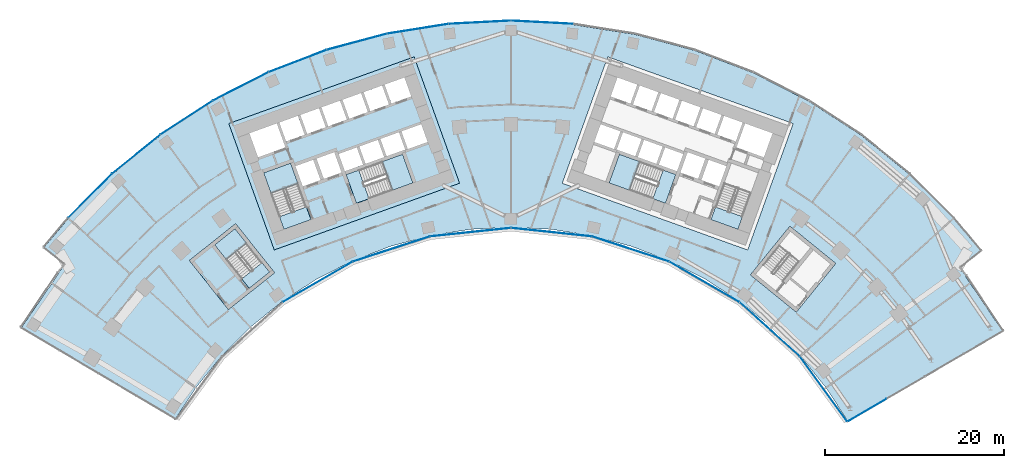
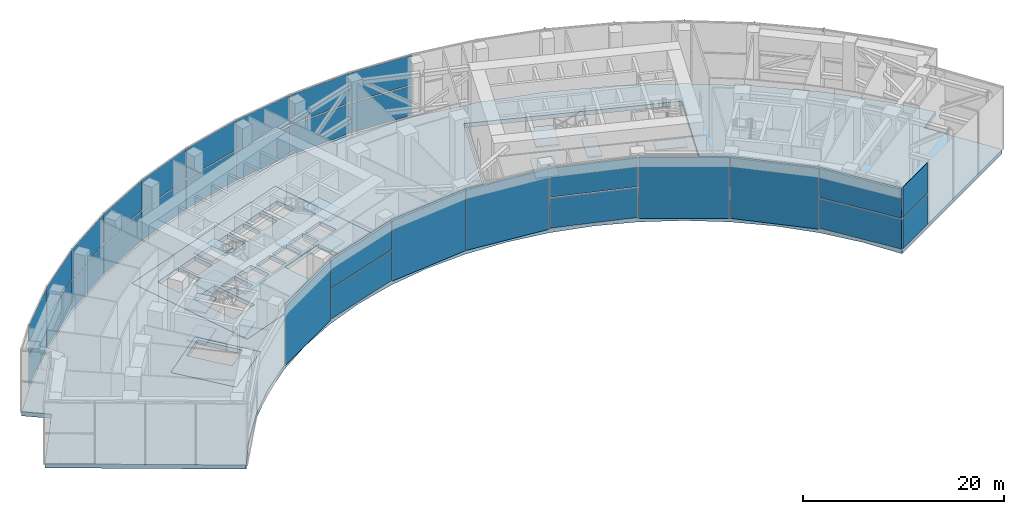
# One storey, part 18 of 33: 31 plates, 16 slabs, 8 elements without a shape of their own.
"""IFC4 building model written with IfcOpenShell, lengths in metres."""

import ifcopenshell
import ifcopenshell.guid

model = None  # the IFC model being written
_history = None  # IfcOwnerHistory: only IFC2X3 demands one
_inside = {}  # id of a spatial element -> (the spatial element, [elements in it])
_under = {}  # id of a project, library or spatial element -> (it, [spatial elements below it])
_declared = {}  # id of a project -> (the project, [libraries it declares])
_typed = {}  # id of a type object -> (the type object, [elements of that type])
_made_of = {}  # id of a material, layer set ... -> (it, [elements and type objects made of it])


def new_model(schema):
    """Start an empty IFC model of exactly this schema.

    Asked for "IFC4X3", IfcOpenShell would pick the latest addendum, in which some entities
    have other attributes; the version numbers below select the first issue.
    IFC2X3 requires an IfcOwnerHistory on every rooted entity: one is made here for all.
    """
    global model, _history
    if schema == "IFC4X3":
        model = ifcopenshell.file(schema_version=(4, 3, 0, 0))
    else:
        model = ifcopenshell.file(schema=schema)
    _inside.clear()
    _under.clear()
    _declared.clear()
    _typed.clear()
    _made_of.clear()
    _history = None
    if model.schema == "IFC2X3":
        org = make("IfcOrganization", Name="unknown")
        user = make(
            "IfcPersonAndOrganization",
            ThePerson=make("IfcPerson", FamilyName="unknown"),
            TheOrganization=org,
        )
        app = make(
            "IfcApplication",
            ApplicationDeveloper=org,
            Version="unknown",
            ApplicationFullName="unknown",
            ApplicationIdentifier="unknown",
        )
        _history = make(
            "IfcOwnerHistory",
            OwningUser=user,
            OwningApplication=app,
            ChangeAction="ADDED",
            CreationDate=0,
        )
    return model


def make(cls, **values):
    """One entity of the class cls with the attributes given. An attribute that is None is left unset."""
    return model.create_entity(
        cls, **{name: value for name, value in values.items() if value is not None}
    )


def rooted(cls, **values):
    """An entity with a GlobalId (a new one), such as an element, a storey or a relation."""
    return make(cls, GlobalId=ifcopenshell.guid.new(), OwnerHistory=_history, **values)


def si_unit(unit_type, name, prefix=None):
    """IfcSIUnit, for example si_unit("LENGTHUNIT", "METRE", prefix="MILLI")."""
    return make("IfcSIUnit", UnitType=unit_type, Prefix=prefix, Name=name)


def assignment(units):
    """IfcUnitAssignment: the units of a project."""
    return None if units is None else make("IfcUnitAssignment", Units=units)


def point(xyz):
    """IfcCartesianPoint."""
    return None if xyz is None else make("IfcCartesianPoint", Coordinates=xyz)


def direction(xyz):
    """IfcDirection."""
    return None if xyz is None else make("IfcDirection", DirectionRatios=xyz)


def frame(location, z_axis=None, x_axis=None):
    """IfcAxis2Placement3D, a coordinate frame: its origin and axes. An axis left out is left unset."""
    return make(
        "IfcAxis2Placement3D",
        Location=point(location),
        Axis=direction(z_axis),
        RefDirection=direction(x_axis),
    )


def frame_2d(location, x_axis=None):
    """IfcAxis2Placement2D, a coordinate frame in the plane: its origin and x axis."""
    return make(
        "IfcAxis2Placement2D", Location=point(location), RefDirection=direction(x_axis)
    )


def origin():
    """The frame at (0, 0, 0) with its axes left unset."""
    return frame((0.0, 0.0, 0.0))


def origin_2d():
    """The frame at (0, 0) in the plane with its x axis left unset."""
    return frame_2d((0.0, 0.0))


def place(relative_to, where):
    """IfcLocalPlacement: puts the frame where relative to a parent placement (None: the world)."""
    return make(
        "IfcLocalPlacement", PlacementRelTo=relative_to, RelativePlacement=where
    )


def context(
    kind, dimensions, precision=None, world=None, true_north=None, identifier=None
):
    """IfcGeometricRepresentationContext, for example the 3D "Model" context."""
    return make(
        "IfcGeometricRepresentationContext",
        ContextIdentifier=identifier,
        ContextType=kind,
        CoordinateSpaceDimension=dimensions,
        Precision=precision,
        WorldCoordinateSystem=world,
        TrueNorth=true_north,
    )


def subcontext(parent, identifier, kind, view, scale=None):
    """IfcGeometricRepresentationSubContext, for example "Body" below "Model"."""
    return make(
        "IfcGeometricRepresentationSubContext",
        ContextIdentifier=identifier,
        ContextType=kind,
        ParentContext=parent,
        TargetScale=scale,
        TargetView=view,
    )


def project(units=None, contexts=None):
    """IfcProject with its units and contexts."""
    return rooted(
        "IfcProject",
        Name="project",
        RepresentationContexts=contexts,
        UnitsInContext=assignment(units),
    )


def spatial(cls, under=None, at=None, **own):
    """A site, building, storey or space (cls), placed at a placement, below another one or the project."""
    s = rooted(cls, ObjectPlacement=at, **own)
    if under is not None:
        _under.setdefault(under.id(), (under, []))[1].append(s)
    return s


def polyline(points):
    """IfcPolyline through the points."""
    return make("IfcPolyline", Points=[point(p) for p in points])


def profile(cls, at=None, kind="AREA", **sizes):
    """A parametric profile (cls). Its sizes go by their IFC names, for example OverallWidth=200.0."""
    return make(cls, ProfileType=kind, Position=at, **sizes)


def rectangle(**sizes):
    """IfcRectangleProfileDef."""
    return profile("IfcRectangleProfileDef", **sizes)


def outline(outer, holes=None, kind="AREA"):
    """IfcArbitraryClosedProfileDef: a profile drawn as a closed curve; with holes, ...WithVoids."""
    if holes is None:
        return make("IfcArbitraryClosedProfileDef", ProfileType=kind, OuterCurve=outer)
    return make(
        "IfcArbitraryProfileDefWithVoids",
        ProfileType=kind,
        OuterCurve=outer,
        InnerCurves=holes,
    )


def extrude(swept, where, along, depth):
    """IfcExtrudedAreaSolid: the profile swept, set in the frame where, extruded along a direction by depth."""
    return make(
        "IfcExtrudedAreaSolid",
        SweptArea=swept,
        Position=where,
        ExtrudedDirection=direction(along),
        Depth=depth,
    )


def shape(context_of_items, identifier, shape_type, items):
    """IfcShapeRepresentation: the items that make up one representation, for example the "Body"."""
    return make(
        "IfcShapeRepresentation",
        ContextOfItems=context_of_items,
        RepresentationIdentifier=identifier,
        RepresentationType=shape_type,
        Items=items,
    )


def material(Name=None, Category=None):
    """IfcMaterial."""
    return make("IfcMaterial", Name=Name, Category=Category)


def layer(
    of_material, thickness, ventilated=None, Name=None, Category=None, Priority=None
):
    """IfcMaterialLayer: one layer of a wall or slab, of a material (None: an air gap)."""
    return make(
        "IfcMaterialLayer",
        Material=of_material,
        LayerThickness=thickness,
        IsVentilated=ventilated,
        Name=Name,
        Category=Category,
        Priority=Priority,
    )


def layer_set(layers, Name=None):
    """IfcMaterialLayerSet."""
    return make("IfcMaterialLayerSet", MaterialLayers=layers, LayerSetName=Name)


def made_of(thing, what):
    """Note that an element or type object is made of a material, layer set ...; save() writes the relation."""
    if what is not None:
        _made_of.setdefault(what.id(), (what, []))[1].append(thing)
    return thing


def type_object(cls, material=None, **own):
    """A type object (cls), such as IfcWallType, which elements share."""
    return made_of(rooted(cls, **own), material)


def element(
    cls,
    number,
    at=None,
    inside=None,
    cuts=None,
    type_object=None,
    material=None,
    context=None,
    identifier="Body",
    shape_type=None,
    held_by="IfcProductDefinitionShape",
    body=None,
    shapes=None,
    **own,
):
    """One element of the class cls, such as IfcWall. Its Tag is "e" and its number.

    at: its placement. inside: the storey or other place that contains it. cuts: it is an
    opening in that element (IfcRelVoidsElement). A single representation is given by context,
    identifier, shape_type and body (its items); several are given by shapes. held_by: the class
    of the entity that holds the representations. save() writes the other relations.
    """
    e = rooted(cls, Tag="e%d" % number, ObjectPlacement=at, **own)
    if body is not None:
        shapes = [shape(context, identifier, shape_type, body)]
    if shapes is not None:
        e.Representation = make(held_by, Representations=shapes)
    if inside is not None:
        _inside.setdefault(inside.id(), (inside, []))[1].append(e)
    if cuts is not None:
        rooted(
            "IfcRelVoidsElement", RelatingBuildingElement=cuts, RelatedOpeningElement=e
        )
    if type_object is not None:
        _typed.setdefault(type_object.id(), (type_object, []))[1].append(e)
    return made_of(e, material)


def aggregate(whole, parts):
    """IfcRelAggregates: a whole, such as a stair, and the parts it consists of."""
    return rooted("IfcRelAggregates", RelatingObject=whole, RelatedObjects=parts)


def save(model, path):
    """Write the relations noted so far, then the file.

    IfcRelAggregates (storeys below a building ...), IfcRelContainedInSpatialStructure (elements
    in a storey), IfcRelDefinesByType, IfcRelAssociatesMaterial and IfcRelDeclares: one each for
    every whole, place, type object, material and project.
    """
    for whole, parts in _under.values():
        aggregate(whole, parts)
    for where, things in _inside.values():
        rooted(
            "IfcRelContainedInSpatialStructure",
            RelatedElements=things,
            RelatingStructure=where,
        )
    for kind, things in _typed.values():
        rooted("IfcRelDefinesByType", RelatedObjects=things, RelatingType=kind)
    for what, things in _made_of.values():
        rooted("IfcRelAssociatesMaterial", RelatedObjects=things, RelatingMaterial=what)
    for by, libraries in _declared.values():
        rooted("IfcRelDeclares", RelatingContext=by, RelatedDefinitions=libraries)
    model.write(path)


model = new_model("IFC4")

# Units and contexts
model_context = context("Model", 3, precision=1e-05, world=origin(), true_north=direction((0.0, 1.0)))
body_context = subcontext(model_context, "Body", "Model", "MODEL_VIEW")
ifc_project = project(units=[si_unit("LENGTHUNIT", "METRE"), si_unit("AREAUNIT", "SQUARE_METRE"), si_unit("VOLUMEUNIT", "CUBIC_METRE"), si_unit("PLANEANGLEUNIT", "RADIAN"), si_unit("MASSUNIT", "GRAM", prefix="KILO")], contexts=[model_context])

# Site, building, storey
site_placement = place(None, origin())
site = spatial("IfcSite", under=ifc_project, at=site_placement, CompositionType="ELEMENT")
building_placement = place(site_placement, origin())
building = spatial("IfcBuilding", under=site, at=building_placement, Name="Stone Belt Terrace Tower", CompositionType="ELEMENT")
storey_placement = place(building_placement, frame((0.0, 0.0, 79.39990234375)))
storey = spatial("IfcBuildingStorey", under=building, at=storey_placement, Name="L19", CompositionType="ELEMENT", Elevation=79.39990234375)

# Curtain wall, plates
ifc_material_1 = material(Name="Aluminium 6063-T6 anodised frame", Category="aluminium")
ifc_layer_1 = layer(ifc_material_1, 0.14990234375)
ifc_layer_set_1 = layer_set([ifc_layer_1], Name="CW-A unitised convex-face curtain wall")
curtain_wall_type_1 = type_object("IfcCurtainWallType", Name="CW-A unitised convex-face curtain wall", PredefinedType="NOTDEFINED", material=ifc_layer_set_1)
curtain_wall_1_placement = place(storey_placement, origin())
curtain_wall_1 = element("IfcCurtainWall", 1, at=curtain_wall_1_placement, inside=storey, type_object=curtain_wall_type_1, Name="CW-A convex face L19", PredefinedType="NOTDEFINED")
ifc_material_2 = material(Name="Terracotta coloured glazed ceramic", Category="masonry")
ifc_layer_2 = layer(ifc_material_2, 0.031982421875)
ifc_layer_set_2 = layer_set([ifc_layer_2], Name="CW-A ceramic louvre panel 32")
plate_type_1 = type_object("IfcPlateType", Name="CW-A ceramic louvre panel 32", PredefinedType="CURTAIN_PANEL", material=ifc_layer_set_2)
plate_1_placement = place(storey_placement, frame((3.4794921875, 66.392822265625, 0.14013671875), z_axis=(0.0, 0.0, 1.0), x_axis=(-0.998629534755, 0.052335956243, 0.0)))
plate_1 = element("IfcPlate", 2, at=plate_1_placement, type_object=plate_type_1, Name="CW-A louvre panel 9.1", PredefinedType="CURTAIN_PANEL", context=body_context, shape_type="SweptSolid", body=[
    extrude(rectangle(XDim=6.90087890625, YDim=0.031982421875, at=origin_2d()), origin(), (0.0, 0.0, 1.0), 3.590087890625),
])
plate_2_placement = place(storey_placement, frame((3.4794921875, 66.392822265625, 3.8701171875), z_axis=(0.0, 0.0, 1.0), x_axis=(-0.998629534755, 0.052335956243, 0.0)))
plate_2 = element("IfcPlate", 3, at=plate_2_placement, type_object=plate_type_1, Name="CW-A louvre panel 9.2", PredefinedType="CURTAIN_PANEL", context=body_context, shape_type="SweptSolid", body=[
    extrude(rectangle(XDim=6.90087890625, YDim=0.031982421875, at=origin_2d()), origin(), (0.0, 0.0, 1.0), 3.590087890625),
])
plate_3_placement = place(storey_placement, frame((-3.4794921875, 66.392822265625, 0.14013671875), z_axis=(0.0, 0.0, 1.0), x_axis=(-0.998629534755, -0.052335956243, 0.0)))
plate_3 = element("IfcPlate", 4, at=plate_3_placement, type_object=plate_type_1, Name="CW-A louvre panel 10.1", PredefinedType="CURTAIN_PANEL", context=body_context, shape_type="SweptSolid", body=[
    extrude(rectangle(XDim=6.90087890625, YDim=0.031982421875, at=origin_2d()), origin(), (0.0, 0.0, 1.0), 3.590087890625),
])
plate_4_placement = place(storey_placement, frame((-3.4794921875, 66.392822265625, 3.8701171875), z_axis=(0.0, 0.0, 1.0), x_axis=(-0.998629534755, -0.052335956243, 0.0)))
plate_4 = element("IfcPlate", 5, at=plate_4_placement, type_object=plate_type_1, Name="CW-A louvre panel 10.2", PredefinedType="CURTAIN_PANEL", context=body_context, shape_type="SweptSolid", body=[
    extrude(rectangle(XDim=6.90087890625, YDim=0.031982421875, at=origin_2d()), origin(), (0.0, 0.0, 1.0), 3.590087890625),
])
plate_5_placement = place(storey_placement, frame((-10.400390625, 65.665283203125, 0.14013671875), z_axis=(0.0, 0.0, 1.0), x_axis=(-0.987688340595, -0.15643446504, 0.0)))
plate_5 = element("IfcPlate", 6, at=plate_5_placement, type_object=plate_type_1, Name="CW-A louvre panel 11.1", PredefinedType="CURTAIN_PANEL", context=body_context, shape_type="SweptSolid", body=[
    extrude(rectangle(XDim=6.90087890625, YDim=0.031982421875, at=origin_2d()), origin(), (0.0, 0.0, 1.0), 3.590087890625),
])
plate_6_placement = place(storey_placement, frame((-10.400390625, 65.665283203125, 3.8701171875), z_axis=(0.0, 0.0, 1.0), x_axis=(-0.987688340595, -0.15643446504, 0.0)))
plate_6 = element("IfcPlate", 7, at=plate_6_placement, type_object=plate_type_1, Name="CW-A louvre panel 11.2", PredefinedType="CURTAIN_PANEL", context=body_context, shape_type="SweptSolid", body=[
    extrude(rectangle(XDim=6.90087890625, YDim=0.031982421875, at=origin_2d()), origin(), (0.0, 0.0, 1.0), 3.590087890625),
])
plate_7_placement = place(storey_placement, frame((-17.207275390625, 64.218505859375, 0.14013671875), z_axis=(0.0, 0.0, 1.0), x_axis=(-0.965925826289, -0.258819045103, 0.0)))
plate_7 = element("IfcPlate", 8, at=plate_7_placement, type_object=plate_type_1, Name="CW-A louvre panel 12.1", PredefinedType="CURTAIN_PANEL", context=body_context, shape_type="SweptSolid", body=[
    extrude(rectangle(XDim=6.90087890625, YDim=0.031982421875, at=origin_2d()), origin(), (0.0, 0.0, 1.0), 3.590087890625),
])
plate_8_placement = place(storey_placement, frame((-17.207275390625, 64.218505859375, 3.8701171875), z_axis=(0.0, 0.0, 1.0), x_axis=(-0.965925826289, -0.258819045103, 0.0)))
plate_8 = element("IfcPlate", 9, at=plate_8_placement, type_object=plate_type_1, Name="CW-A louvre panel 12.2", PredefinedType="CURTAIN_PANEL", context=body_context, shape_type="SweptSolid", body=[
    extrude(rectangle(XDim=6.90087890625, YDim=0.031982421875, at=origin_2d()), origin(), (0.0, 0.0, 1.0), 3.590087890625),
])
plate_9_placement = place(storey_placement, frame((-23.82568359375, 62.068115234375, 0.14013671875), z_axis=(0.0, 0.0, 1.0), x_axis=(-0.933580426497, -0.358367949545, 0.0)))
plate_9 = element("IfcPlate", 10, at=plate_9_placement, type_object=plate_type_1, Name="CW-A louvre panel 13.1", PredefinedType="CURTAIN_PANEL", context=body_context, shape_type="SweptSolid", body=[
    extrude(rectangle(XDim=6.90087890625, YDim=0.031982421875, at=origin_2d()), origin(), (0.0, 0.0, 1.0), 3.590087890625),
])
plate_10_placement = place(storey_placement, frame((-23.82568359375, 62.068115234375, 3.8701171875), z_axis=(0.0, 0.0, 1.0), x_axis=(-0.933580426497, -0.358367949545, 0.0)))
plate_10 = element("IfcPlate", 11, at=plate_10_placement, type_object=plate_type_1, Name="CW-A louvre panel 13.2", PredefinedType="CURTAIN_PANEL", context=body_context, shape_type="SweptSolid", body=[
    extrude(rectangle(XDim=6.90087890625, YDim=0.031982421875, at=origin_2d()), origin(), (0.0, 0.0, 1.0), 3.590087890625),
])
plate_11_placement = place(storey_placement, frame((-30.18310546875, 59.237548828125, 0.14013671875), z_axis=(0.0, 0.0, 1.0), x_axis=(-0.891006524188, -0.45399049974, 0.0)))
plate_11 = element("IfcPlate", 12, at=plate_11_placement, type_object=plate_type_1, Name="CW-A louvre panel 14.1", PredefinedType="CURTAIN_PANEL", context=body_context, shape_type="SweptSolid", body=[
    extrude(rectangle(XDim=6.90087890625, YDim=0.031982421875, at=origin_2d()), origin(), (0.0, 0.0, 1.0), 3.590087890625),
])
plate_12_placement = place(storey_placement, frame((-30.18310546875, 59.237548828125, 3.8701171875), z_axis=(0.0, 0.0, 1.0), x_axis=(-0.891006524188, -0.45399049974, 0.0)))
plate_12 = element("IfcPlate", 13, at=plate_12_placement, type_object=plate_type_1, Name="CW-A louvre panel 14.2", PredefinedType="CURTAIN_PANEL", context=body_context, shape_type="SweptSolid", body=[
    extrude(rectangle(XDim=6.90087890625, YDim=0.031982421875, at=origin_2d()), origin(), (0.0, 0.0, 1.0), 3.590087890625),
])
plate_13_placement = place(storey_placement, frame((-36.209716796875, 55.758056640625, 0.14013671875), z_axis=(0.0, 0.0, 1.0), x_axis=(-0.838670567945, -0.544639035015, 0.0)))
plate_13 = element("IfcPlate", 14, at=plate_13_placement, type_object=plate_type_1, Name="CW-A louvre panel 15.1", PredefinedType="CURTAIN_PANEL", context=body_context, shape_type="SweptSolid", body=[
    extrude(rectangle(XDim=6.90087890625, YDim=0.031982421875, at=origin_2d()), origin(), (0.0, 0.0, 1.0), 3.590087890625),
])
plate_14_placement = place(storey_placement, frame((-36.209716796875, 55.758056640625, 3.8701171875), z_axis=(0.0, 0.0, 1.0), x_axis=(-0.838670567945, -0.544639035015, 0.0)))
plate_14 = element("IfcPlate", 15, at=plate_14_placement, type_object=plate_type_1, Name="CW-A louvre panel 15.2", PredefinedType="CURTAIN_PANEL", context=body_context, shape_type="SweptSolid", body=[
    extrude(rectangle(XDim=6.90087890625, YDim=0.031982421875, at=origin_2d()), origin(), (0.0, 0.0, 1.0), 3.590087890625),
])
plate_15_placement = place(storey_placement, frame((-41.839599609375, 51.667724609375, 0.14013671875), z_axis=(0.0, 0.0, 1.0), x_axis=(-0.777145961457, -0.62932039105, 0.0)))
plate_15 = element("IfcPlate", 16, at=plate_15_placement, type_object=plate_type_1, Name="CW-A louvre panel 16.1", PredefinedType="CURTAIN_PANEL", context=body_context, shape_type="SweptSolid", body=[
    extrude(rectangle(XDim=6.90087890625, YDim=0.031982421875, at=origin_2d()), origin(), (0.0, 0.0, 1.0), 3.590087890625),
])
plate_16_placement = place(storey_placement, frame((-41.839599609375, 51.667724609375, 3.8701171875), z_axis=(0.0, 0.0, 1.0), x_axis=(-0.777145961457, -0.62932039105, 0.0)))
plate_16 = element("IfcPlate", 17, at=plate_16_placement, type_object=plate_type_1, Name="CW-A louvre panel 16.2", PredefinedType="CURTAIN_PANEL", context=body_context, shape_type="SweptSolid", body=[
    extrude(rectangle(XDim=6.90087890625, YDim=0.031982421875, at=origin_2d()), origin(), (0.0, 0.0, 1.0), 3.590087890625),
])
plate_17_placement = place(storey_placement, frame((-47.01123046875, 47.01123046875, 0.14013671875), z_axis=(0.0, 0.0, 1.0), x_axis=(-0.707106781187, -0.707106781187, 0.0)))
plate_17 = element("IfcPlate", 18, at=plate_17_placement, type_object=plate_type_1, Name="CW-A louvre panel 17.1", PredefinedType="CURTAIN_PANEL", context=body_context, shape_type="SweptSolid", body=[
    extrude(rectangle(XDim=6.90087890625, YDim=0.031982421875, at=origin_2d()), origin(), (0.0, 0.0, 1.0), 3.590087890625),
])
plate_18_placement = place(storey_placement, frame((-47.01123046875, 47.01123046875, 3.8701171875), z_axis=(0.0, 0.0, 1.0), x_axis=(-0.707106781187, -0.707106781187, 0.0)))
plate_18 = element("IfcPlate", 19, at=plate_18_placement, type_object=plate_type_1, Name="CW-A louvre panel 17.2", PredefinedType="CURTAIN_PANEL", context=body_context, shape_type="SweptSolid", body=[
    extrude(rectangle(XDim=6.90087890625, YDim=0.031982421875, at=origin_2d()), origin(), (0.0, 0.0, 1.0), 3.590087890625),
])
aggregate(curtain_wall_1, [plate_1, plate_2, plate_3, plate_4, plate_5, plate_6, plate_7, plate_8, plate_9, plate_10, plate_11, plate_12, plate_13, plate_14, plate_15, plate_16, plate_17, plate_18])

ifc_layer_3 = layer(ifc_material_1, 0.14990234375)
ifc_layer_set_3 = layer_set([ifc_layer_3], Name="CW-B unitised concave-face curtain wall")
curtain_wall_type_2 = type_object("IfcCurtainWallType", Name="CW-B unitised concave-face curtain wall", PredefinedType="NOTDEFINED", material=ifc_layer_set_3)
curtain_wall_2_placement = place(storey_placement, origin())
curtain_wall_2 = element("IfcCurtainWall", 20, at=curtain_wall_2_placement, inside=storey, type_object=curtain_wall_type_2, Name="CW-B concave face L19", PredefinedType="NOTDEFINED")
ifc_layer_4 = layer(ifc_material_2, 0.030029296875)
ifc_layer_set_4 = layer_set([ifc_layer_4], Name="CW-B ceramic louvre panel 30")
plate_type_2 = type_object("IfcPlateType", Name="CW-B ceramic louvre panel 30", PredefinedType="CURTAIN_PANEL", material=ifc_layer_set_4)
plate_19_placement = place(storey_placement, frame((-21.59326171875, 37.40087890625, 0.0), z_axis=(0.0, 0.0, 1.0), x_axis=(0.866025403784, 0.5, 0.0)))
plate_19 = element("IfcPlate", 21, at=plate_19_placement, type_object=plate_type_2, Name="CW-B louvre panel 3.1", PredefinedType="CURTAIN_PANEL", context=body_context, shape_type="SweptSolid", body=[
    extrude(rectangle(XDim=9.0126953125, YDim=0.030029296875, at=origin_2d()), origin(), (0.0, 0.0, 1.0), 7.47998046875),
])
plate_20_placement = place(storey_placement, frame((-13.345458984375, 41.072998046875, 0.1201171875), z_axis=(0.0, 0.0, 1.0), x_axis=(0.951056516295, 0.309016994375, 0.0)))
plate_20 = element("IfcPlate", 22, at=plate_20_placement, type_object=plate_type_2, Name="CW-B louvre panel 4.1", PredefinedType="CURTAIN_PANEL", context=body_context, shape_type="SweptSolid", body=[
    extrude(rectangle(XDim=9.0126953125, YDim=0.030029296875, at=origin_2d()), origin(), (0.0, 0.0, 1.0), 3.6201171875),
])
plate_21_placement = place(storey_placement, frame((-13.345458984375, 41.072998046875, 3.860107421875), z_axis=(0.0, 0.0, 1.0), x_axis=(0.951056516295, 0.309016994375, 0.0)))
plate_21 = element("IfcPlate", 23, at=plate_21_placement, type_object=plate_type_2, Name="CW-B louvre panel 4.2", PredefinedType="CURTAIN_PANEL", context=body_context, shape_type="SweptSolid", body=[
    extrude(rectangle(XDim=9.0126953125, YDim=0.030029296875, at=origin_2d()), origin(), (0.0, 0.0, 1.0), 3.6201171875),
])
plate_22_placement = place(storey_placement, frame((-4.51416015625, 42.9501953125, 0.0), z_axis=(0.0, 0.0, 1.0), x_axis=(0.994521895368, 0.104528463268, 0.0)))
plate_22 = element("IfcPlate", 24, at=plate_22_placement, type_object=plate_type_2, Name="CW-B louvre panel 5.1", PredefinedType="CURTAIN_PANEL", context=body_context, shape_type="SweptSolid", body=[
    extrude(rectangle(XDim=9.0126953125, YDim=0.030029296875, at=origin_2d()), origin(), (0.0, 0.0, 1.0), 7.47998046875),
])
plate_23_placement = place(storey_placement, frame((4.51416015625, 42.9501953125, 0.0), z_axis=(0.0, 0.0, 1.0), x_axis=(0.994521895368, -0.104528463268, 0.0)))
plate_23 = element("IfcPlate", 25, at=plate_23_placement, type_object=plate_type_2, Name="CW-B louvre panel 6.1", PredefinedType="CURTAIN_PANEL", context=body_context, shape_type="SweptSolid", body=[
    extrude(rectangle(XDim=9.0126953125, YDim=0.030029296875, at=origin_2d()), origin(), (0.0, 0.0, 1.0), 7.47998046875),
])
plate_24_placement = place(storey_placement, frame((13.345458984375, 41.072998046875, 0.1201171875), z_axis=(0.0, 0.0, 1.0), x_axis=(0.951056516295, -0.309016994375, 0.0)))
plate_24 = element("IfcPlate", 26, at=plate_24_placement, type_object=plate_type_2, Name="CW-B louvre panel 7.1", PredefinedType="CURTAIN_PANEL", context=body_context, shape_type="SweptSolid", body=[
    extrude(rectangle(XDim=9.0126953125, YDim=0.030029296875, at=origin_2d()), origin(), (0.0, 0.0, 1.0), 3.6201171875),
])
plate_25_placement = place(storey_placement, frame((13.345458984375, 41.072998046875, 3.860107421875), z_axis=(0.0, 0.0, 1.0), x_axis=(0.951056516295, -0.309016994375, 0.0)))
plate_25 = element("IfcPlate", 27, at=plate_25_placement, type_object=plate_type_2, Name="CW-B louvre panel 7.2", PredefinedType="CURTAIN_PANEL", context=body_context, shape_type="SweptSolid", body=[
    extrude(rectangle(XDim=9.0126953125, YDim=0.030029296875, at=origin_2d()), origin(), (0.0, 0.0, 1.0), 3.6201171875),
])
plate_26_placement = place(storey_placement, frame((21.59326171875, 37.40087890625, 0.0), z_axis=(0.0, 0.0, 1.0), x_axis=(0.866025403784, -0.5, 0.0)))
plate_26 = element("IfcPlate", 28, at=plate_26_placement, type_object=plate_type_2, Name="CW-B louvre panel 8.1", PredefinedType="CURTAIN_PANEL", context=body_context, shape_type="SweptSolid", body=[
    extrude(rectangle(XDim=9.0126953125, YDim=0.030029296875, at=origin_2d()), origin(), (0.0, 0.0, 1.0), 7.47998046875),
])
plate_27_placement = place(storey_placement, frame((28.897705078125, 32.093994140625, 0.0), z_axis=(0.0, 0.0, 1.0), x_axis=(0.743144825477, -0.669130606359, 0.0)))
plate_27 = element("IfcPlate", 29, at=plate_27_placement, type_object=plate_type_2, Name="CW-B louvre panel 9.1", PredefinedType="CURTAIN_PANEL", context=body_context, shape_type="SweptSolid", body=[
    extrude(rectangle(XDim=9.012939453125, YDim=0.030029296875, at=origin_2d()), origin(), (0.0, 0.0, 1.0), 7.47998046875),
])
plate_28_placement = place(storey_placement, frame((34.91162109375, 25.435546875, 0.1201171875), z_axis=(0.0, 0.0, 1.0), x_axis=(0.589224850374, -0.80796910566, 0.0)))
plate_28 = element("IfcPlate", 30, at=plate_28_placement, type_object=plate_type_2, Name="CW-B louvre panel 10.1", PredefinedType="CURTAIN_PANEL", context=body_context, shape_type="SweptSolid", body=[
    extrude(rectangle(XDim=8.898193359375, YDim=0.030029296875, at=origin_2d()), origin(), (0.0, 0.0, 1.0), 3.6201171875),
])
plate_29_placement = place(storey_placement, frame((34.91162109375, 25.435546875, 3.860107421875), z_axis=(0.0, 0.0, 1.0), x_axis=(0.589224850374, -0.80796910566, 0.0)))
plate_29 = element("IfcPlate", 31, at=plate_29_placement, type_object=plate_type_2, Name="CW-B louvre panel 10.2", PredefinedType="CURTAIN_PANEL", context=body_context, shape_type="SweptSolid", body=[
    extrude(rectangle(XDim=8.898193359375, YDim=0.030029296875, at=origin_2d()), origin(), (0.0, 0.0, 1.0), 3.6201171875),
])
aggregate(curtain_wall_2, [plate_19, plate_20, plate_21, plate_22, plate_23, plate_24, plate_25, plate_26, plate_27, plate_28, plate_29])

ifc_layer_5 = layer(ifc_material_1, 0.14990234375)
ifc_layer_set_5 = layer_set([ifc_layer_5], Name="CW-C stick curtain wall, horn ends and notches")
curtain_wall_type_3 = type_object("IfcCurtainWallType", Name="CW-C stick curtain wall, horn ends and notches", PredefinedType="NOTDEFINED", material=ifc_layer_set_5)
curtain_wall_3_placement = place(storey_placement, origin())
curtain_wall_3 = element("IfcCurtainWall", 32, at=curtain_wall_3_placement, inside=storey, type_object=curtain_wall_type_3, Name="CW-C end face L19", PredefinedType="NOTDEFINED")
ifc_layer_6 = layer(ifc_material_2, 0.028076171875)
ifc_layer_set_6 = layer_set([ifc_layer_6], Name="CW-C ceramic louvre panel 28")
plate_type_3 = type_object("IfcPlateType", Name="CW-C ceramic louvre panel 28", PredefinedType="CURTAIN_PANEL", material=ifc_layer_set_6)
plate_30_placement = place(storey_placement, frame((39.781982421875, 23.070556640625, 0.1201171875), z_axis=(0.0, 0.0, 1.0), x_axis=(0.864239322284, 0.503080901861, 0.0)))
plate_30 = element("IfcPlate", 33, at=plate_30_placement, type_object=plate_type_3, Name="CW-C louvre panel 1.1", PredefinedType="CURTAIN_PANEL", context=body_context, shape_type="SweptSolid", body=[
    extrude(rectangle(XDim=4.965087890625, YDim=0.028076171875, at=origin_2d()), origin(), (0.0, 0.0, 1.0), 3.6201171875),
])
plate_31_placement = place(storey_placement, frame((39.781982421875, 23.070556640625, 3.85986328125), z_axis=(0.0, 0.0, 1.0), x_axis=(0.864239322284, 0.503080901861, 0.0)))
plate_31 = element("IfcPlate", 34, at=plate_31_placement, type_object=plate_type_3, Name="CW-C louvre panel 1.2", PredefinedType="CURTAIN_PANEL", context=body_context, shape_type="SweptSolid", body=[
    extrude(rectangle(XDim=4.965087890625, YDim=0.028076171875, at=origin_2d()), origin(), (0.0, 0.0, 1.0), 3.739990234375),
])
aggregate(curtain_wall_3, [plate_30, plate_31])

# Slabs
ifc_material_3 = material(Name="Concrete B40", Category="concrete")
ifc_layer_7 = layer(ifc_material_3, 0.5)
ifc_layer_set_7 = layer_set([ifc_layer_7], Name="Core floor slab 500")
slab_type_1 = type_object("IfcSlabType", Name="Core floor slab 500", PredefinedType="FLOOR", material=ifc_layer_set_7)
slab_1_placement = place(storey_placement, frame((0.0, 0.0, -0.5)))
element("IfcSlab", 35, at=slab_1_placement, inside=storey, type_object=slab_type_1, Name="Core A floor L19", PredefinedType="FLOOR", context=body_context, shape_type="SweptSolid", body=[
    extrude(outline(polyline([(-26.43505859375, 40.968994140625), (-5.735107421875, 48.4189453125), (-10.81396484375, 62.531982421875), (-31.513916015625, 55.0830078125), (-26.43505859375, 40.968994140625)]), holes=[polyline([(-24.60791015625, 50.659912109375), (-22.847900390625, 45.76806640625), (-25.85888671875, 44.68408203125), (-27.618896484375, 49.575927734375), (-24.60791015625, 50.659912109375)]), polyline([(-21.27392578125, 48.778076171875), (-23.25, 48.06689453125), (-24.06298828125, 50.324951171875), (-22.0869140625, 51.035888671875), (-21.27392578125, 48.778076171875)]), polyline([(-19.735107421875, 51.883056640625), (-18.922119140625, 49.6240234375), (-20.89794921875, 48.9130859375), (-21.7109375, 51.1708984375), (-19.735107421875, 51.883056640625)]), polyline([(-18.5458984375, 49.760009765625), (-19.239990234375, 51.68896484375), (-17.217041015625, 52.4169921875), (-16.52294921875, 50.488037109375), (-18.5458984375, 49.760009765625)]), polyline([(-29.2109375, 53.9990234375), (-26.153076171875, 55.09912109375), (-25.18798828125, 52.41796875), (-28.24609375, 51.31689453125), (-29.2109375, 53.9990234375)]), polyline([(-23.801025390625, 55.946044921875), (-23.0390625, 53.8291015625), (-25.10888671875, 53.083984375), (-25.87109375, 55.200927734375), (-23.801025390625, 55.946044921875)]), polyline([(-21.447998046875, 56.7919921875), (-20.68603515625, 54.675048828125), (-22.756103515625, 53.929931640625), (-23.51806640625, 56.047119140625), (-21.447998046875, 56.7919921875)]), polyline([(-19.095947265625, 57.638916015625), (-18.333984375, 55.52197265625), (-20.404052734375, 54.777099609375), (-21.166015625, 56.89404296875), (-19.095947265625, 57.638916015625)]), polyline([(-15.846923828125, 46.69189453125), (-16.998046875, 49.89208984375), (-12.10595703125, 51.652099609375), (-10.955078125, 48.452880859375), (-15.846923828125, 46.69189453125)]), polyline([(-14.169921875, 51.333984375), (-16.239990234375, 50.589111328125), (-16.93408203125, 52.51806640625), (-14.864013671875, 53.262939453125), (-14.169921875, 51.333984375)]), polyline([(-11.801025390625, 52.134033203125), (-11.847900390625, 52.116943359375), (-11.864990234375, 52.1640625), (-13.887939453125, 51.43603515625), (-14.58203125, 53.364990234375), (-12.511962890625, 54.110107421875), (-11.801025390625, 52.134033203125)]), polyline([(-9.30810546875, 53.031005859375), (-11.51904296875, 52.235107421875), (-12.22998046875, 54.2109375), (-10.01904296875, 55.007080078125), (-9.30810546875, 53.031005859375)]), polyline([(-16.743896484375, 58.485107421875), (-15.98193359375, 56.367919921875), (-18.052001953125, 55.623046875), (-18.81396484375, 57.739990234375), (-16.743896484375, 58.485107421875)]), polyline([(-14.39111328125, 59.33203125), (-13.6298828125, 57.215087890625), (-15.699951171875, 56.469970703125), (-16.4609375, 58.5869140625), (-14.39111328125, 59.33203125)]), polyline([(-11.89794921875, 60.22900390625), (-11.135986328125, 58.112060546875), (-13.346923828125, 57.31591796875), (-14.10888671875, 59.43408203125), (-11.89794921875, 60.22900390625)])]), origin(), (0.0, 0.0, 1.0), 0.5),
])
slab_2_placement = place(storey_placement, frame((0.0, 0.0, -0.5)))
element("IfcSlab", 36, at=slab_2_placement, inside=storey, type_object=slab_type_1, Name="Exit stair ST3A floor L19", PredefinedType="FLOOR", context=body_context, shape_type="SweptSolid", body=[
    extrude(outline(polyline([(-26.39404296875, 38.425048828125), (-30.756103515625, 43.89990234375), (-35.91796875, 39.787109375), (-31.555908203125, 34.31298828125), (-26.39404296875, 38.425048828125)]), holes=[polyline([(-27.798095703125, 39.544921875), (-30.06591796875, 37.738037109375), (-33.087890625, 41.531005859375), (-30.820068359375, 43.337890625), (-27.798095703125, 39.544921875)])]), origin(), (0.0, 0.0, 1.0), 0.5),
])
ifc_material_4 = material(Name="Concrete B60", Category="concrete")
ifc_layer_8 = layer(ifc_material_4, 0.5)
ifc_layer_set_8 = layer_set([ifc_layer_8], Name="Floor slab 500 B60")
slab_type_2 = type_object("IfcSlabType", Name="Floor slab 500 B60", PredefinedType="FLOOR", material=ifc_layer_set_8)
slab_3_placement = place(storey_placement, frame((0.0, 0.0, -0.5)))
element("IfcSlab", 37, at=slab_3_placement, inside=storey, type_object=slab_type_2, Name="Floor slab L19", PredefinedType="FLOOR", context=body_context, shape_type="SweptSolid", body=[
    extrude(outline(polyline([(-50.46484375, 38.427001953125), (-50.520751953125, 38.469482421875), (-50.12353515625, 38.923828125), (-49.78173828125, 39.421142578125), (-52.133544921875, 41.28369140625), (-49.419189453125, 44.497314453125), (-46.923583984375, 46.99267578125), (-46.988037109375, 47.05712890625), (-44.497314453125, 49.419189453125), (-39.087646484375, 53.799560546875), (-33.25, 57.5908203125), (-27.048095703125, 60.750732421875), (-20.549560546875, 63.245361328125), (-13.826171875, 65.046875), (-6.951171875, 66.1357421875), (0.0, 66.5), (6.951171875, 66.1357421875), (13.826171875, 65.046875), (20.549560546875, 63.245361328125), (27.048095703125, 60.750732421875), (33.25, 57.5908203125), (39.087646484375, 53.799560546875), (44.497314453125, 49.419189453125), (47.328857421875, 46.714111328125), (47.26513671875, 46.651123046875), (49.419189453125, 44.497314453125), (52.4326171875, 40.9033203125), (50.067138671875, 39.05810546875), (50.4052734375, 38.558349609375), (50.799072265625, 38.10107421875), (50.742919921875, 38.05908203125), (54.879150390625, 31.945556640625), (37.594482421875, 21.884033203125), (35.192138671875, 25.568603515625), (32.326904296875, 29.107177734375), (29.107177734375, 32.326904296875), (25.568603515625, 35.192138671875), (21.75, 37.672119140625), (17.693115234375, 39.7392578125), (13.442138671875, 41.37109375), (9.044189453125, 42.54931640625), (4.547119140625, 43.26171875), (0.0, 43.5), (-4.547119140625, 43.26171875), (-9.044189453125, 42.54931640625), (-13.442138671875, 41.37109375), (-17.693115234375, 39.7392578125), (-21.75, 37.672119140625), (-25.568603515625, 35.192138671875), (-29.107177734375, 32.326904296875), (-32.326904296875, 29.107177734375), (-35.192138671875, 25.568603515625), (-37.434326171875, 22.156982421875), (-54.6455078125, 32.343994140625), (-50.46484375, 38.427001953125)]), holes=[polyline([(-26.434814453125, 40.968994140625), (-5.734619140625, 48.418701171875), (-10.81396484375, 62.532470703125), (-31.51416015625, 55.082763671875), (-26.434814453125, 40.968994140625)]), polyline([(10.81396484375, 62.532470703125), (5.734619140625, 48.418701171875), (26.434814453125, 40.968994140625), (31.51416015625, 55.082763671875), (10.81396484375, 62.532470703125)]), polyline([(-35.91796875, 39.787353515625), (-31.55615234375, 34.3125), (-26.39404296875, 38.425048828125), (-30.756103515625, 43.89990234375), (-35.91796875, 39.787353515625)]), polyline([(36.2783203125, 39.459228515625), (31.15380859375, 43.61865234375), (26.742431640625, 38.18359375), (31.86669921875, 34.024169921875), (36.2783203125, 39.459228515625)])]), origin(), (0.0, 0.0, 1.0), 0.5),
])

# Stair, slabs
stair_type = type_object("IfcStairType", Name="Exit stair 1500", PredefinedType="HALF_TURN_STAIR", material=ifc_material_3)
stair_1_placement = place(storey_placement, origin())
stair_1 = element("IfcStair", 38, at=stair_1_placement, inside=storey, type_object=stair_type, Name="L19 Exit stair 1 core A", PredefinedType="HALF_TURN_STAIR")
ifc_layer_9 = layer(ifc_material_3, 0.199951171875)
ifc_layer_set_9 = layer_set([ifc_layer_9], Name="Stair landing 200")
slab_type_3 = type_object("IfcSlabType", Name="Stair landing 200", PredefinedType="LANDING", material=ifc_layer_set_9)
slab_4_placement = place(storey_placement, frame((0.0, 0.0, 1.7001953125)))
slab_4 = element("IfcSlab", 39, at=slab_4_placement, type_object=slab_type_3, Name="ST1A landing 1", PredefinedType="LANDING", context=body_context, shape_type="SweptSolid", body=[
    extrude(outline(polyline([(-23.79541015625, 48.40087890625), (-24.6083984375, 50.659912109375), (-27.619384765625, 49.576171875), (-26.806396484375, 47.3173828125), (-23.79541015625, 48.40087890625)])), origin(), (0.0, 0.0, 1.0), 0.199951171875),
])
slab_5_placement = place(storey_placement, frame((0.0, 0.0, 3.60009765625)))
slab_5 = element("IfcSlab", 40, at=slab_5_placement, type_object=slab_type_3, Name="ST1A landing 2", PredefinedType="LANDING", context=body_context, shape_type="SweptSolid", body=[
    extrude(outline(polyline([(-22.339599609375, 44.355712890625), (-22.847900390625, 45.767822265625), (-25.85888671875, 44.684326171875), (-25.3505859375, 43.27197265625), (-22.339599609375, 44.355712890625)])), origin(), (0.0, 0.0, 1.0), 0.199951171875),
])
slab_6_placement = place(storey_placement, frame((0.0, 0.0, 5.5)))
slab_6 = element("IfcSlab", 41, at=slab_6_placement, type_object=slab_type_3, Name="ST1A landing 3", PredefinedType="LANDING", context=body_context, shape_type="SweptSolid", body=[
    extrude(outline(polyline([(-23.79541015625, 48.40087890625), (-24.6083984375, 50.659912109375), (-27.619384765625, 49.576171875), (-26.806396484375, 47.3173828125), (-23.79541015625, 48.40087890625)])), origin(), (0.0, 0.0, 1.0), 0.2001953125),
])
aggregate(stair_1, [slab_4, slab_5, slab_6])

stair_2_placement = place(storey_placement, origin())
stair_2 = element("IfcStair", 42, at=stair_2_placement, inside=storey, type_object=stair_type, Name="L19 Exit stair 2 core A", PredefinedType="HALF_TURN_STAIR")
slab_7_placement = place(storey_placement, frame((0.0, 0.0, 1.7001953125)))
slab_7 = element("IfcSlab", 43, at=slab_7_placement, type_object=slab_type_3, Name="ST2A landing 1", PredefinedType="LANDING", context=body_context, shape_type="SweptSolid", body=[
    extrude(outline(polyline([(-13.213623046875, 47.64013671875), (-10.95458984375, 48.453125), (-12.10595703125, 51.652099609375), (-14.36474609375, 50.839111328125), (-13.213623046875, 47.64013671875)])), origin(), (0.0, 0.0, 1.0), 0.199951171875),
])
slab_8_placement = place(storey_placement, frame((0.0, 0.0, 3.60009765625)))
slab_8 = element("IfcSlab", 44, at=slab_8_placement, type_object=slab_type_3, Name="ST2A landing 2", PredefinedType="LANDING", context=body_context, shape_type="SweptSolid", body=[
    extrude(outline(polyline([(-17.2587890625, 46.184326171875), (-15.8466796875, 46.6923828125), (-16.997802734375, 49.8916015625), (-18.41015625, 49.38330078125), (-17.2587890625, 46.184326171875)])), origin(), (0.0, 0.0, 1.0), 0.199951171875),
])
slab_9_placement = place(storey_placement, frame((0.0, 0.0, 5.5)))
slab_9 = element("IfcSlab", 45, at=slab_9_placement, type_object=slab_type_3, Name="ST2A landing 3", PredefinedType="LANDING", context=body_context, shape_type="SweptSolid", body=[
    extrude(outline(polyline([(-13.213623046875, 47.64013671875), (-10.95458984375, 48.453125), (-12.10595703125, 51.652099609375), (-14.36474609375, 50.839111328125), (-13.213623046875, 47.64013671875)])), origin(), (0.0, 0.0, 1.0), 0.2001953125),
])
aggregate(stair_2, [slab_7, slab_8, slab_9])

# Stair, slab
stair_3_placement = place(storey_placement, origin())
stair_3 = element("IfcStair", 46, at=stair_3_placement, inside=storey, type_object=stair_type, Name="L19 Exit stair 1 core B", PredefinedType="HALF_TURN_STAIR")
slab_10_placement = place(storey_placement, frame((0.0, 0.0, 3.60009765625)))
slab_10 = element("IfcSlab", 47, at=slab_10_placement, type_object=slab_type_3, Name="ST1B landing 2", PredefinedType="LANDING", context=body_context, shape_type="SweptSolid", body=[
    extrude(outline(polyline([(25.3505859375, 43.27197265625), (25.85888671875, 44.684326171875), (22.847900390625, 45.767822265625), (22.339599609375, 44.355712890625), (25.3505859375, 43.27197265625)])), origin(), (0.0, 0.0, 1.0), 0.199951171875),
])
aggregate(stair_3, [slab_10])

# Stair, slabs
stair_4_placement = place(storey_placement, origin())
stair_4 = element("IfcStair", 48, at=stair_4_placement, inside=storey, type_object=stair_type, Name="L19 Exit stair 2 core B", PredefinedType="HALF_TURN_STAIR")
slab_11_placement = place(storey_placement, frame((0.0, 0.0, 1.7001953125)))
slab_11 = element("IfcSlab", 49, at=slab_11_placement, type_object=slab_type_3, Name="ST2B landing 1", PredefinedType="LANDING", context=body_context, shape_type="SweptSolid", body=[
    extrude(outline(polyline([(14.36474609375, 50.839111328125), (12.10595703125, 51.652099609375), (10.95458984375, 48.453125), (13.213623046875, 47.64013671875), (14.36474609375, 50.839111328125)])), origin(), (0.0, 0.0, 1.0), 0.199951171875),
])
slab_12_placement = place(storey_placement, frame((0.0, 0.0, 3.60009765625)))
slab_12 = element("IfcSlab", 50, at=slab_12_placement, type_object=slab_type_3, Name="ST2B landing 2", PredefinedType="LANDING", context=body_context, shape_type="SweptSolid", body=[
    extrude(outline(polyline([(18.41015625, 49.38330078125), (16.997802734375, 49.8916015625), (15.8466796875, 46.6923828125), (17.2587890625, 46.184326171875), (18.41015625, 49.38330078125)])), origin(), (0.0, 0.0, 1.0), 0.199951171875),
])
slab_13_placement = place(storey_placement, frame((0.0, 0.0, 5.5)))
slab_13 = element("IfcSlab", 51, at=slab_13_placement, type_object=slab_type_3, Name="ST2B landing 3", PredefinedType="LANDING", context=body_context, shape_type="SweptSolid", body=[
    extrude(outline(polyline([(14.36474609375, 50.839111328125), (12.10595703125, 51.652099609375), (10.95458984375, 48.453125), (13.213623046875, 47.64013671875), (14.36474609375, 50.839111328125)])), origin(), (0.0, 0.0, 1.0), 0.2001953125),
])
aggregate(stair_4, [slab_11, slab_12, slab_13])

stair_5_placement = place(storey_placement, origin())
stair_5 = element("IfcStair", 52, at=stair_5_placement, inside=storey, type_object=stair_type, Name="L19 Exit stair 3A", PredefinedType="HALF_TURN_STAIR")
slab_14_placement = place(storey_placement, frame((0.0, 0.0, 1.7001953125)))
slab_14 = element("IfcSlab", 53, at=slab_14_placement, type_object=slab_type_3, Name="ST3A landing 1", PredefinedType="LANDING", context=body_context, shape_type="SweptSolid", body=[
    extrude(outline(polyline([(-29.541748046875, 41.73388671875), (-30.819580078125, 43.337890625), (-33.087646484375, 41.53076171875), (-31.809814453125, 39.9267578125), (-29.541748046875, 41.73388671875)])), origin(), (0.0, 0.0, 1.0), 0.199951171875),
])
slab_15_placement = place(storey_placement, frame((0.0, 0.0, 3.60009765625)))
slab_15 = element("IfcSlab", 54, at=slab_15_placement, type_object=slab_type_3, Name="ST3A landing 2", PredefinedType="LANDING", context=body_context, shape_type="SweptSolid", body=[
    extrude(outline(polyline([(-26.956298828125, 38.48876953125), (-27.7978515625, 39.545166015625), (-30.066162109375, 37.73828125), (-29.224365234375, 36.681640625), (-26.956298828125, 38.48876953125)])), origin(), (0.0, 0.0, 1.0), 0.199951171875),
])
slab_16_placement = place(storey_placement, frame((0.0, 0.0, 5.5)))
slab_16 = element("IfcSlab", 55, at=slab_16_placement, type_object=slab_type_3, Name="ST3A landing 3", PredefinedType="LANDING", context=body_context, shape_type="SweptSolid", body=[
    extrude(outline(polyline([(-29.541748046875, 41.73388671875), (-30.819580078125, 43.337890625), (-33.087646484375, 41.53076171875), (-31.809814453125, 39.9267578125), (-29.541748046875, 41.73388671875)])), origin(), (0.0, 0.0, 1.0), 0.2001953125),
])
aggregate(stair_5, [slab_14, slab_15, slab_16])

save(model, "model.ifc")
